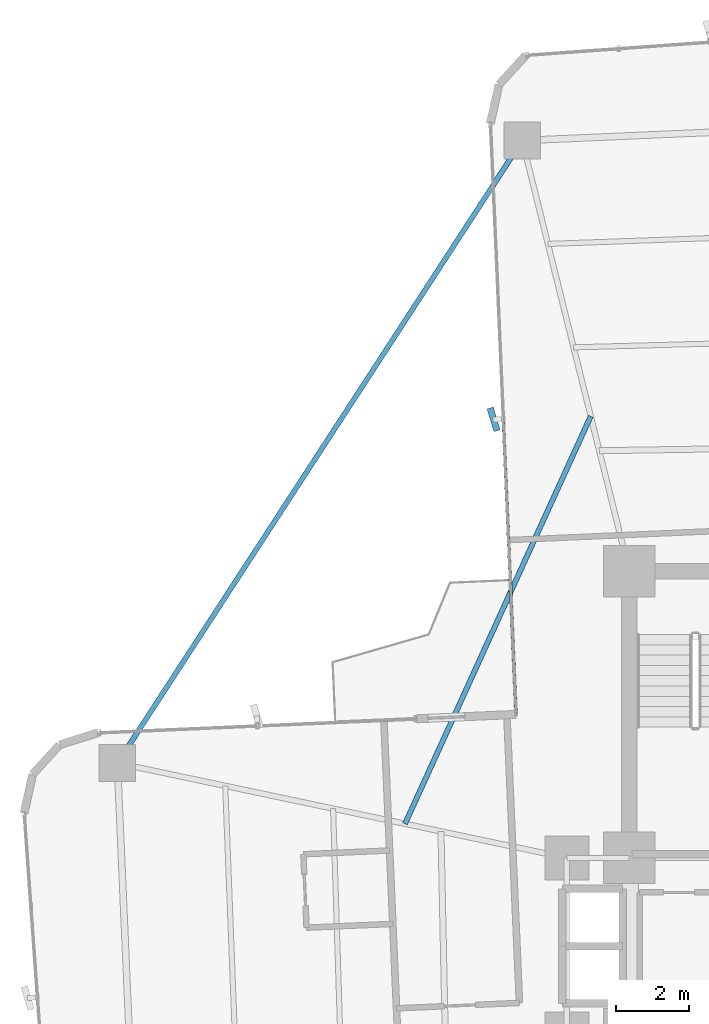
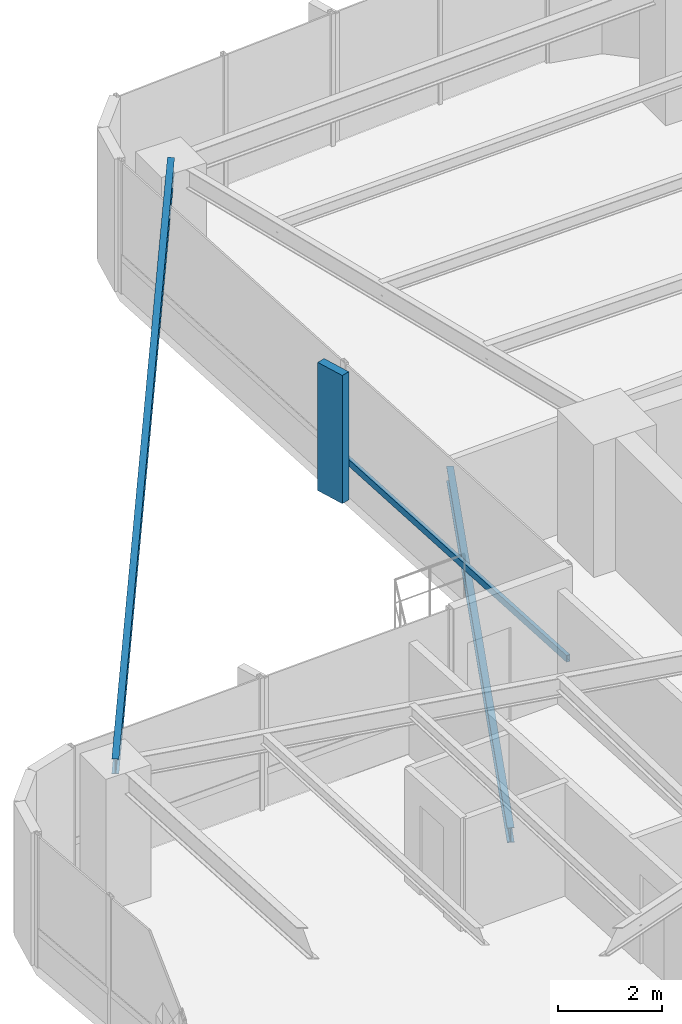
# One storey, part 16 of 26: 2 beams, 2 members, 1 element without a shape of its own.
"""IFC4 building model written with IfcOpenShell, lengths in metres."""

from ifc_helpers import new_model, si_unit, direction, frame, origin, origin_2d, place, context, subcontext, project, spatial, rectangle, hollow_rectangle, i_section, extrude, source, transform, mapped, material, material_profile, profile_set, type_object, element, aggregate, save


model = new_model("IFC4")

# Units and contexts
model_context = context("Model", 3, precision=1e-05, world=origin(), true_north=direction((0.0, 1.0)))
body_context = subcontext(model_context, "Body", "Model", "MODEL_VIEW")
ifc_project = project(units=[si_unit("LENGTHUNIT", "METRE"), si_unit("AREAUNIT", "SQUARE_METRE"), si_unit("VOLUMEUNIT", "CUBIC_METRE"), si_unit("PLANEANGLEUNIT", "RADIAN"), si_unit("MASSUNIT", "GRAM", prefix="KILO")], contexts=[model_context])

# Site, building, storey
site_placement = place(None, origin())
site = spatial("IfcSite", under=ifc_project, at=site_placement, CompositionType="ELEMENT")
building_placement = place(site_placement, origin())
building = spatial("IfcBuilding", under=site, at=building_placement, Name="Sahyath Konkavel Grand Hotel", CompositionType="ELEMENT")
storey_placement = place(building_placement, frame((0.0, 0.0, 121.5)))
storey = spatial("IfcBuildingStorey", under=building, at=storey_placement, Name="L33", CompositionType="ELEMENT", Elevation=121.5)

# Beam
ifc_material_1 = material(Name="Steel E350", Category="steel")
ifc_material_profile_1 = material_profile(ifc_material_1, i_section(OverallWidth=0.139892578125, OverallDepth=0.35009765625, WebThickness=0.008056640625, FlangeThickness=0.01416015625, FilletRadius=0.013916015625, at=origin_2d()), Name="ISMB 350")
ifc_profile_set_1 = profile_set([ifc_material_profile_1], Name="Steel E350")
beam_type_1 = type_object("IfcBeamType", Name="BM-ISMB350", PredefinedType="BEAM", material=ifc_profile_set_1)
shared_shape_1 = source(origin(), body_context, "Body", "SweptSolid", [
    extrude(i_section(OverallWidth=0.139892578125, OverallDepth=0.35009765625, WebThickness=0.008056640625, FlangeThickness=0.01416015625, FilletRadius=0.013916015625, at=origin_2d()), origin(), (0.0, 0.0, 1.0), 20.21533203125),
])
beam_1_placement = place(storey_placement, frame((-6.712890625, 21.927978515625, 2.93505859375), z_axis=(-0.545191244931, -0.838311700056, 0.0), x_axis=(0.838311700056, -0.545191244931, 0.0)))
element("IfcBeam", 1, at=beam_1_placement, inside=storey, type_object=beam_type_1, Name="L33 Re-Entrant Tie Beam NW", PredefinedType="BEAM", context=body_context, shape_type="MappedRepresentation", body=[
    mapped(shared_shape_1, transform((0.0, 0.0, 0.0), scale=1.0)),
])

# Curtain wall, members
ifc_material_2 = material(Name="Anodised Bronze Aluminium & Low-E Glazing", Category="aluminium")
curtain_wall_type = type_object("IfcCurtainWallType", Name="CW-ZONE2", PredefinedType="NOTDEFINED", material=ifc_material_2)
curtain_wall_placement = place(storey_placement, origin())
curtain_wall = element("IfcCurtainWall", 2, at=curtain_wall_placement, inside=storey, type_object=curtain_wall_type, Name="L33 Unitised Curtain Wall F15", PredefinedType="NOTDEFINED")
ifc_material_3 = material(Name="Warm Buff Sandstone Cladding on Concrete C50/60", Category="masonry")
ifc_material_profile_2 = material_profile(ifc_material_3, rectangle(XDim=0.179931640625, YDim=0.64990234375, at=origin_2d()), Name="FIN 180x650")
ifc_profile_set_2 = profile_set([ifc_material_profile_2], Name="Warm Buff Sandstone Cladding on Concrete C50/60")
member_type_1 = type_object("IfcMemberType", Name="FIN-SANDSTONE-650", PredefinedType="MULLION", material=ifc_profile_set_2)
shared_shape_2 = source(origin(), body_context, "Body", "SweptSolid", [
    extrude(rectangle(XDim=0.179931640625, YDim=0.64990234375, at=origin_2d()), origin(), (0.0, 0.0, 1.0), 3.010009765625),
])
member_1_placement = place(storey_placement, frame((-7.492431640625, 14.3369140625, 0.050048828125), z_axis=(0.0, 0.0, 1.0), x_axis=(0.956610402488, 0.291370104596, 0.0)))
member_1 = element("IfcMember", 3, at=member_1_placement, type_object=member_type_1, Name="L33 Sandstone Vertical Solar Fin FIN F15-1", PredefinedType="MULLION", context=body_context, shape_type="MappedRepresentation", body=[
    mapped(shared_shape_2, transform((0.0, 0.0, 0.0), scale=1.0)),
])
ifc_material_4 = material(Name="Anodised Bronze Aluminium", Category="aluminium")
ifc_material_profile_3 = material_profile(ifc_material_4, hollow_rectangle(XDim=0.080078125, YDim=0.159912109375, WallThickness=0.006103515625, at=origin_2d()), Name="RHS 160x80x6")
ifc_profile_set_3 = profile_set([ifc_material_profile_3], Name="Anodised Bronze Aluminium")
member_type_2 = type_object("IfcMemberType", Name="CW-TRN-160", PredefinedType="USERDEFINED", material=ifc_profile_set_3)
shared_shape_3 = source(origin(), body_context, "Body", "SweptSolid", [
    extrude(hollow_rectangle(XDim=0.080078125, YDim=0.159912109375, WallThickness=0.006103515625, at=origin_2d()), origin(), (0.0, 0.0, 1.0), 8.010009765625),
])
member_2_placement = place(storey_placement, frame((-7.232666015625, 14.34814453125, 0.85009765625), z_axis=(0.043615785896, -0.999048378819, 0.0), x_axis=(0.999048378819, 0.043615785896, 0.0)))
member_2 = element("IfcMember", 4, at=member_2_placement, type_object=member_type_2, Name="L33 Curtain Wall Transom F15-1-spandrel", ObjectType="TRANSOM", PredefinedType="USERDEFINED", context=body_context, shape_type="MappedRepresentation", body=[
    mapped(shared_shape_3, transform((0.0, 0.0, 0.0), scale=1.0)),
])
aggregate(curtain_wall, [member_1, member_2])

# Beam
ifc_material_profile_4 = material_profile(ifc_material_1, i_section(OverallWidth=0.139892578125, OverallDepth=0.35009765625, WebThickness=0.008056640625, FlangeThickness=0.01416015625, FilletRadius=0.013916015625, at=origin_2d()), Name="ISMB 350")
ifc_profile_set_4 = profile_set([ifc_material_profile_4], Name="Steel E350")
beam_type_2 = type_object("IfcBeamType", Name="BM-BALC-CANT", PredefinedType="BEAM", material=ifc_profile_set_4)
shared_shape_4 = source(origin(), body_context, "Body", "SweptSolid", [
    extrude(i_section(OverallWidth=0.139892578125, OverallDepth=0.35009765625, WebThickness=0.008056640625, FlangeThickness=0.01416015625, FilletRadius=0.013916015625, at=origin_2d()), origin(), (0.0, 0.0, 1.0), 12.190673828125),
])
beam_2_placement = place(storey_placement, frame((-4.8486328125, 14.422119140625, -0.4150390625), z_axis=(-0.414712580086, -0.909952458054, 0.0), x_axis=(0.909952458054, -0.414712580086, 0.0)))
element("IfcBeam", 5, at=beam_2_placement, inside=storey, type_object=beam_type_2, Name="L33 Balcony Cantilever Support Beam NW", PredefinedType="BEAM", context=body_context, shape_type="MappedRepresentation", body=[
    mapped(shared_shape_4, transform((0.0, 0.0, 0.0), scale=1.0)),
])

save(model, "model.ifc")
